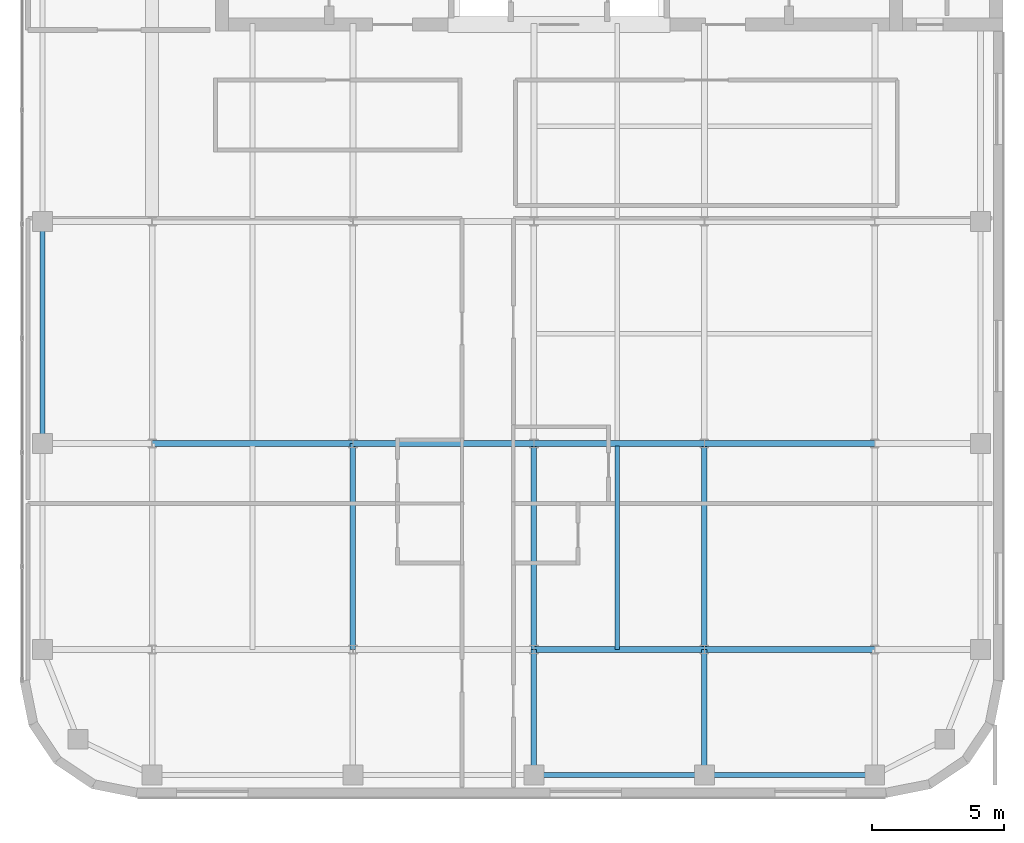
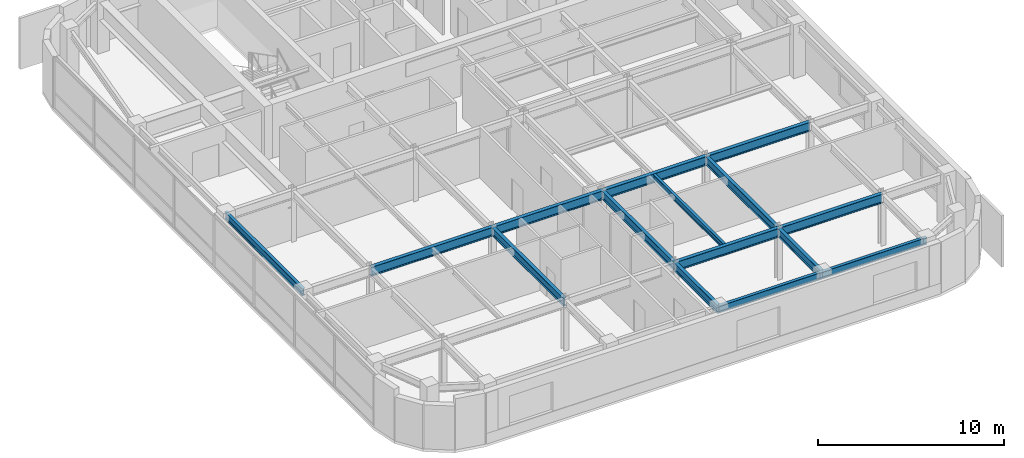
# One storey, part 6 of 21: 15 beams.
"""IFC4 building model written with IfcOpenShell, lengths in metres."""

from ifc_helpers import new_model, si_unit, direction, frame, origin, origin_2d, place, context, subcontext, project, spatial, i_section, extrude, source, transform, mapped, material, material_profile, profile_set, type_object, type_shapes, element, save


model = new_model("IFC4")

# Units and contexts
model_context = context("Model", 3, precision=1e-05, world=origin(), true_north=direction((0.0, 1.0)))
body_context = subcontext(model_context, "Body", "Model", "MODEL_VIEW")
ifc_project = project(units=[si_unit("LENGTHUNIT", "METRE"), si_unit("AREAUNIT", "SQUARE_METRE"), si_unit("VOLUMEUNIT", "CUBIC_METRE"), si_unit("PLANEANGLEUNIT", "RADIAN"), si_unit("MASSUNIT", "GRAM", prefix="KILO")], contexts=[model_context])

# Site, building, storey
site_placement = place(None, origin())
site = spatial("IfcSite", under=ifc_project, at=site_placement, CompositionType="ELEMENT")
building_placement = place(site_placement, origin())
building = spatial("IfcBuilding", under=site, at=building_placement, Name="Tolvann Quenvar Hotel", CompositionType="ELEMENT")
storey_placement = place(building_placement, frame((0.0, 0.0, 227.449951171875)))
storey = spatial("IfcBuildingStorey", under=building, at=storey_placement, Name="L60", CompositionType="ELEMENT", Elevation=227.449951171875)

# Beams
ifc_material = material(Name="Steel Grade 350", Category="steel")
ifc_material_profile_1 = material_profile(ifc_material, i_section(OverallWidth=0.208984375, OverallDepth=0.532958984375, WebThickness=0.01025390625, FlangeThickness=0.015625, FilletRadius=0.013916015625, at=origin_2d()), Name="530UB92")
ifc_profile_set_1 = profile_set([ifc_material_profile_1], Name="Steel Grade 350")
beam_type_1 = type_object("IfcBeamType", Name="BM_GIRD_530UB92", PredefinedType="BEAM", material=ifc_profile_set_1)
shared_shape_1 = source(origin(), body_context, "Body", "SweptSolid", [
    extrude(i_section(OverallWidth=0.208984375, OverallDepth=0.532958984375, WebThickness=0.01025390625, FlangeThickness=0.015625, FilletRadius=0.013916015625, at=origin_2d()), origin(), (0.0, 0.0, 1.0), 7.800048828125),
])
for number, where, z_axis, x_axis, name in (
    (1, (15.199951171875, 8.199951171875, 3.103515625), (0.0, 1.0, 0.0), (-1.0, 0.0, 0.0), "BM-L60-NS-D3-D4"),
    (2, (22.050048828125, 8.199951171875, 3.103515625), (0.0, 1.0, 0.0), (-1.0, 0.0, 0.0), "BM-L60-NS-E3-E4"),
    (3, (28.5, 8.199951171875, 3.103515625), (0.0, 1.0, 0.0), (-1.0, 0.0, 0.0), "BM-L60-NS-M3-M4"),
):
    element("IfcBeam", number, at=place(storey_placement, frame(where, z_axis=z_axis, x_axis=x_axis)), inside=storey, type_object=beam_type_1, Name=name, PredefinedType="BEAM", context=body_context, shape_type="MappedRepresentation", body=[
        mapped(shared_shape_1, transform((0.0, 0.0, 0.0), x_axis=(1.0, 0.0, 0.0), y_axis=(0.0, 1.0, 0.0), z_axis=(0.0, 0.0, 1.0), scale=1.0)),
    ])
ifc_material_profile_2 = material_profile(ifc_material, i_section(OverallWidth=0.22802734375, OverallDepth=0.60205078125, WebThickness=0.010498046875, FlangeThickness=0.014892578125, FilletRadius=0.013916015625, at=origin_2d()), Name="610UB101")
ifc_profile_set_2 = profile_set([ifc_material_profile_2], Name="Steel Grade 350")
beam_type_2 = type_object("IfcBeamType", Name="BM_GIRD_610UB101", PredefinedType="BEAM", material=ifc_profile_set_2)
shared_shape_2 = source(origin(), body_context, "Body", "SweptSolid", [
    extrude(i_section(OverallWidth=0.22802734375, OverallDepth=0.60205078125, WebThickness=0.010498046875, FlangeThickness=0.014892578125, FilletRadius=0.013916015625, at=origin_2d()), origin(), (0.0, 0.0, 1.0), 7.599853515625),
])
beam_1_placement = place(storey_placement, frame((7.60009765625, 16.0, 3.069091796875), z_axis=(1.0, 0.0, 0.0), x_axis=(0.0, 1.0, 0.0)))
element("IfcBeam", 4, at=beam_1_placement, inside=storey, type_object=beam_type_2, Name="BM-L60-EW-4-C4-D4", PredefinedType="BEAM", context=body_context, shape_type="MappedRepresentation", body=[
    mapped(shared_shape_2, transform((0.0, 0.0, 0.0), x_axis=(1.0, 0.0, 0.0), y_axis=(0.0, 1.0, 0.0), z_axis=(0.0, 0.0, 1.0), scale=1.0)),
])
shared_shape_3 = source(origin(), body_context, "Body", "SweptSolid", [
    extrude(i_section(OverallWidth=0.22802734375, OverallDepth=0.60205078125, WebThickness=0.010498046875, FlangeThickness=0.014892578125, FilletRadius=0.013916015625, at=origin_2d()), origin(), (0.0, 0.0, 1.0), 6.85009765625),
])
beam_2_placement = place(storey_placement, frame((15.199951171875, 16.0, 3.069091796875), z_axis=(1.0, 0.0, 0.0), x_axis=(0.0, 1.0, 0.0)))
element("IfcBeam", 5, at=beam_2_placement, inside=storey, type_object=beam_type_2, Name="BM-L60-EW-4-D4-E4", PredefinedType="BEAM", context=body_context, shape_type="MappedRepresentation", body=[
    mapped(shared_shape_3, transform((0.0, 0.0, 0.0), x_axis=(1.0, 0.0, 0.0), y_axis=(0.0, 1.0, 0.0), z_axis=(0.0, 0.0, 1.0), scale=1.0)),
])
shared_shape_4 = source(origin(), body_context, "Body", "SweptSolid", [
    extrude(i_section(OverallWidth=0.22802734375, OverallDepth=0.60205078125, WebThickness=0.010498046875, FlangeThickness=0.014892578125, FilletRadius=0.013916015625, at=origin_2d()), origin(), (0.0, 0.0, 1.0), 6.449951171875),
])
type_shapes(beam_type_2, [shared_shape_2, shared_shape_3, shared_shape_4])
for number, where, z_axis, x_axis, name in (
    (6, (22.050048828125, 8.199951171875, 3.069091796875), (1.0, 0.0, 0.0), (0.0, 1.0, 0.0), "BM-L60-EW-3-E3-M3"),
    (7, (28.5, 8.199951171875, 3.069091796875), (1.0, 0.0, 0.0), (0.0, 1.0, 0.0), "BM-L60-EW-3-M3-F3"),
    (8, (22.050048828125, 16.0, 3.069091796875), (1.0, 0.0, 0.0), (0.0, 1.0, 0.0), "BM-L60-EW-4-E4-M4"),
    (9, (28.5, 16.0, 3.069091796875), (1.0, 0.0, 0.0), (0.0, 1.0, 0.0), "BM-L60-EW-4-M4-F4"),
):
    element("IfcBeam", number, at=place(storey_placement, frame(where, z_axis=z_axis, x_axis=x_axis)), inside=storey, type_object=beam_type_2, Name=name, PredefinedType="BEAM", context=body_context, shape_type="MappedRepresentation", body=[
        mapped(shared_shape_4, transform((0.0, 0.0, 0.0), x_axis=(1.0, 0.0, 0.0), y_axis=(0.0, 1.0, 0.0), z_axis=(0.0, 0.0, 1.0), scale=1.0)),
    ])
shared_shape_5 = source(origin(), body_context, "Body", "SweptSolid", [
    extrude(i_section(OverallWidth=0.208984375, OverallDepth=0.532958984375, WebThickness=0.01025390625, FlangeThickness=0.015625, FilletRadius=0.013916015625, at=origin_2d()), origin(), (0.0, 0.0, 1.0), 4.75),
])
type_shapes(beam_type_1, [shared_shape_1, shared_shape_5])
for number, where, z_axis, x_axis, name in (
    (10, (22.050048828125, 3.449951171875, 3.103515625), (0.0, 1.0, 0.0), (-1.0, 0.0, 0.0), "BM-L60-NS-E2-E3"),
    (11, (28.5, 3.449951171875, 3.103515625), (0.0, 1.0, 0.0), (-1.0, 0.0, 0.0), "BM-L60-NS-M2-M3"),
):
    element("IfcBeam", number, at=place(storey_placement, frame(where, z_axis=z_axis, x_axis=x_axis)), inside=storey, type_object=beam_type_1, Name=name, PredefinedType="BEAM", context=body_context, shape_type="MappedRepresentation", body=[
        mapped(shared_shape_5, transform((0.0, 0.0, 0.0), x_axis=(1.0, 0.0, 0.0), y_axis=(0.0, 1.0, 0.0), z_axis=(0.0, 0.0, 1.0), scale=1.0)),
    ])
ifc_material_profile_3 = material_profile(ifc_material, i_section(OverallWidth=0.172119140625, OverallDepth=0.35888671875, WebThickness=0.008056640625, FlangeThickness=0.012939453125, FilletRadius=0.011474609375, at=origin_2d()), Name="360UB57")
ifc_profile_set_3 = profile_set([ifc_material_profile_3], Name="Steel Grade 350")
beam_type_3 = type_object("IfcBeamType", Name="BM_JOIST_360UB57", PredefinedType="JOIST", material=ifc_profile_set_3)
shared_shape_6 = source(origin(), body_context, "Body", "SweptSolid", [
    extrude(i_section(OverallWidth=0.172119140625, OverallDepth=0.35888671875, WebThickness=0.008056640625, FlangeThickness=0.012939453125, FilletRadius=0.011474609375, at=origin_2d()), origin(), (0.0, 0.0, 1.0), 7.692138671875),
])
type_shapes(beam_type_3, [shared_shape_6])
beam_3_placement = place(storey_placement, frame((25.199951171875, 8.199951171875, 3.1904296875), z_axis=(0.0, 1.0, 0.0), x_axis=(-1.0, 0.0, 0.0)))
element("IfcBeam", 12, at=beam_3_placement, inside=storey, type_object=beam_type_3, Name="BJ-L60-252-82", PredefinedType="JOIST", context=body_context, shape_type="MappedRepresentation", body=[
    mapped(shared_shape_6, transform((0.0, 0.0, 0.0), x_axis=(1.0, 0.0, 0.0), y_axis=(0.0, 1.0, 0.0), z_axis=(0.0, 0.0, 1.0), scale=1.0)),
])
ifc_material_profile_4 = material_profile(ifc_material, i_section(OverallWidth=0.19091796875, OverallDepth=0.4599609375, WebThickness=0.010009765625, FlangeThickness=0.01611328125, FilletRadius=0.011474609375, at=origin_2d()), Name="460UB82")
ifc_profile_set_4 = profile_set([ifc_material_profile_4], Name="Steel Grade 350")
beam_type_4 = type_object("IfcBeamType", Name="BM_SPAND_460UB82", PredefinedType="SPANDREL", material=ifc_profile_set_4)
shared_shape_7 = source(origin(), body_context, "Body", "SweptSolid", [
    extrude(i_section(OverallWidth=0.19091796875, OverallDepth=0.4599609375, WebThickness=0.010009765625, FlangeThickness=0.01611328125, FilletRadius=0.011474609375, at=origin_2d()), origin(), (0.0, 0.0, 1.0), 6.449951171875),
])
for number, where, z_axis, x_axis, name in (
    (13, (22.050048828125, 3.449951171875, 3.14013671875), (1.0, 0.0, 0.0), (0.0, 1.0, 0.0), "BM-L60-EW-2-E2-M2"),
    (14, (28.5, 3.449951171875, 3.14013671875), (1.0, 0.0, 0.0), (0.0, 1.0, 0.0), "BM-L60-EW-2-M2-F2"),
):
    element("IfcBeam", number, at=place(storey_placement, frame(where, z_axis=z_axis, x_axis=x_axis)), inside=storey, type_object=beam_type_4, Name=name, PredefinedType="SPANDREL", context=body_context, shape_type="MappedRepresentation", body=[
        mapped(shared_shape_7, transform((0.0, 0.0, 0.0), x_axis=(1.0, 0.0, 0.0), y_axis=(0.0, 1.0, 0.0), z_axis=(0.0, 0.0, 1.0), scale=1.0)),
    ])
shared_shape_8 = source(origin(), body_context, "Body", "SweptSolid", [
    extrude(i_section(OverallWidth=0.19091796875, OverallDepth=0.4599609375, WebThickness=0.010009765625, FlangeThickness=0.01611328125, FilletRadius=0.011474609375, at=origin_2d()), origin(), (0.0, 0.0, 1.0), 8.39990234375),
])
type_shapes(beam_type_4, [shared_shape_7, shared_shape_8])
beam_4_placement = place(storey_placement, frame((3.449951171875, 16.0, 3.14013671875), z_axis=(0.0, 1.0, 0.0), x_axis=(-1.0, 0.0, 0.0)))
element("IfcBeam", 15, at=beam_4_placement, inside=storey, type_object=beam_type_4, Name="BM-L60-NS-B4-B5", PredefinedType="SPANDREL", context=body_context, shape_type="MappedRepresentation", body=[
    mapped(shared_shape_8, transform((0.0, 0.0, 0.0), x_axis=(1.0, 0.0, 0.0), y_axis=(0.0, 1.0, 0.0), z_axis=(0.0, 0.0, 1.0), scale=1.0)),
])

save(model, "model.ifc")
